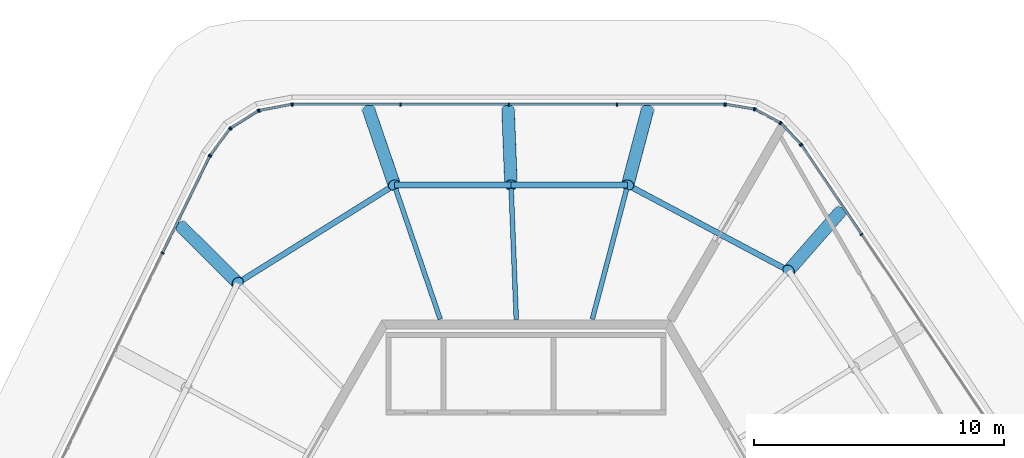
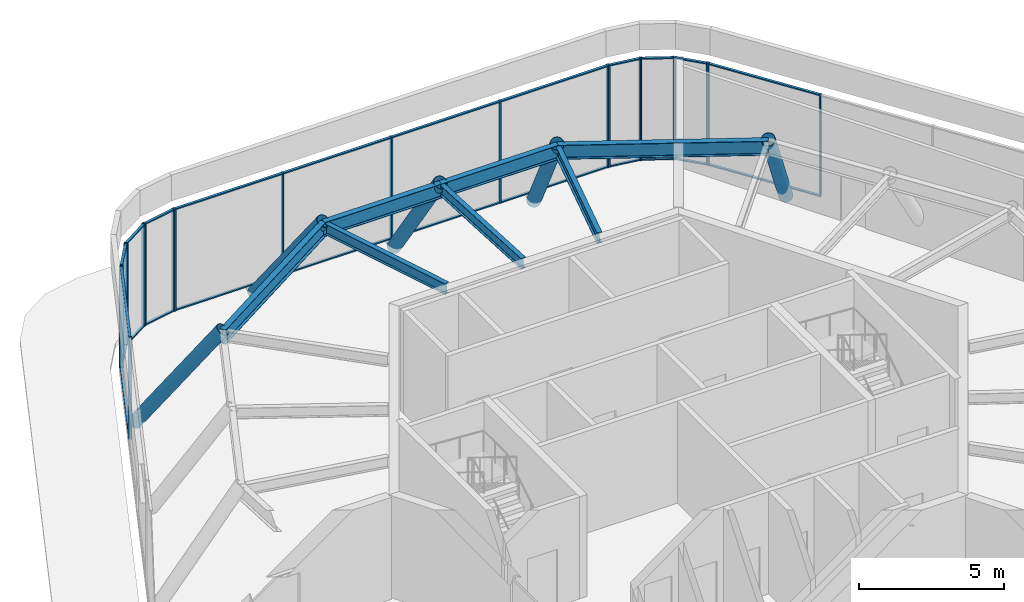
# One storey, part 7 of 12: 50 members, 7 beams, 9 elements without a shape of their own.
"""IFC4 building model written with IfcOpenShell, lengths in metres."""

import ifcopenshell
import ifcopenshell.guid

model = None  # the IFC model being written
_history = None  # IfcOwnerHistory: only IFC2X3 demands one
_inside = {}  # id of a spatial element -> (the spatial element, [elements in it])
_under = {}  # id of a project, library or spatial element -> (it, [spatial elements below it])
_declared = {}  # id of a project -> (the project, [libraries it declares])
_typed = {}  # id of a type object -> (the type object, [elements of that type])
_made_of = {}  # id of a material, layer set ... -> (it, [elements and type objects made of it])


def new_model(schema):
    """Start an empty IFC model of exactly this schema.

    Asked for "IFC4X3", IfcOpenShell would pick the latest addendum, in which some entities
    have other attributes; the version numbers below select the first issue.
    IFC2X3 requires an IfcOwnerHistory on every rooted entity: one is made here for all.
    """
    global model, _history
    if schema == "IFC4X3":
        model = ifcopenshell.file(schema_version=(4, 3, 0, 0))
    else:
        model = ifcopenshell.file(schema=schema)
    _inside.clear()
    _under.clear()
    _declared.clear()
    _typed.clear()
    _made_of.clear()
    _history = None
    if model.schema == "IFC2X3":
        org = make("IfcOrganization", Name="unknown")
        user = make(
            "IfcPersonAndOrganization",
            ThePerson=make("IfcPerson", FamilyName="unknown"),
            TheOrganization=org,
        )
        app = make(
            "IfcApplication",
            ApplicationDeveloper=org,
            Version="unknown",
            ApplicationFullName="unknown",
            ApplicationIdentifier="unknown",
        )
        _history = make(
            "IfcOwnerHistory",
            OwningUser=user,
            OwningApplication=app,
            ChangeAction="ADDED",
            CreationDate=0,
        )
    return model


def make(cls, **values):
    """One entity of the class cls with the attributes given. An attribute that is None is left unset."""
    return model.create_entity(
        cls, **{name: value for name, value in values.items() if value is not None}
    )


def rooted(cls, **values):
    """An entity with a GlobalId (a new one), such as an element, a storey or a relation."""
    return make(cls, GlobalId=ifcopenshell.guid.new(), OwnerHistory=_history, **values)


def si_unit(unit_type, name, prefix=None):
    """IfcSIUnit, for example si_unit("LENGTHUNIT", "METRE", prefix="MILLI")."""
    return make("IfcSIUnit", UnitType=unit_type, Prefix=prefix, Name=name)


def assignment(units):
    """IfcUnitAssignment: the units of a project."""
    return None if units is None else make("IfcUnitAssignment", Units=units)


def point(xyz):
    """IfcCartesianPoint."""
    return None if xyz is None else make("IfcCartesianPoint", Coordinates=xyz)


def direction(xyz):
    """IfcDirection."""
    return None if xyz is None else make("IfcDirection", DirectionRatios=xyz)


def frame(location, z_axis=None, x_axis=None):
    """IfcAxis2Placement3D, a coordinate frame: its origin and axes. An axis left out is left unset."""
    return make(
        "IfcAxis2Placement3D",
        Location=point(location),
        Axis=direction(z_axis),
        RefDirection=direction(x_axis),
    )


def frame_2d(location, x_axis=None):
    """IfcAxis2Placement2D, a coordinate frame in the plane: its origin and x axis."""
    return make(
        "IfcAxis2Placement2D", Location=point(location), RefDirection=direction(x_axis)
    )


def origin():
    """The frame at (0, 0, 0) with its axes left unset."""
    return frame((0.0, 0.0, 0.0))


def origin_2d():
    """The frame at (0, 0) in the plane with its x axis left unset."""
    return frame_2d((0.0, 0.0))


def place(relative_to, where):
    """IfcLocalPlacement: puts the frame where relative to a parent placement (None: the world)."""
    return make(
        "IfcLocalPlacement", PlacementRelTo=relative_to, RelativePlacement=where
    )


def context(
    kind, dimensions, precision=None, world=None, true_north=None, identifier=None
):
    """IfcGeometricRepresentationContext, for example the 3D "Model" context."""
    return make(
        "IfcGeometricRepresentationContext",
        ContextIdentifier=identifier,
        ContextType=kind,
        CoordinateSpaceDimension=dimensions,
        Precision=precision,
        WorldCoordinateSystem=world,
        TrueNorth=true_north,
    )


def subcontext(parent, identifier, kind, view, scale=None):
    """IfcGeometricRepresentationSubContext, for example "Body" below "Model"."""
    return make(
        "IfcGeometricRepresentationSubContext",
        ContextIdentifier=identifier,
        ContextType=kind,
        ParentContext=parent,
        TargetScale=scale,
        TargetView=view,
    )


def project(units=None, contexts=None):
    """IfcProject with its units and contexts."""
    return rooted(
        "IfcProject",
        Name="project",
        RepresentationContexts=contexts,
        UnitsInContext=assignment(units),
    )


def spatial(cls, under=None, at=None, **own):
    """A site, building, storey or space (cls), placed at a placement, below another one or the project."""
    s = rooted(cls, ObjectPlacement=at, **own)
    if under is not None:
        _under.setdefault(under.id(), (under, []))[1].append(s)
    return s


def profile(cls, at=None, kind="AREA", **sizes):
    """A parametric profile (cls). Its sizes go by their IFC names, for example OverallWidth=200.0."""
    return make(cls, ProfileType=kind, Position=at, **sizes)


def rectangle(**sizes):
    """IfcRectangleProfileDef."""
    return profile("IfcRectangleProfileDef", **sizes)


def hollow_circle(**sizes):
    """IfcCircleHollowProfileDef."""
    return profile("IfcCircleHollowProfileDef", **sizes)


def i_section(**sizes):
    """IfcIShapeProfileDef."""
    return profile("IfcIShapeProfileDef", **sizes)


def extrude(swept, where, along, depth):
    """IfcExtrudedAreaSolid: the profile swept, set in the frame where, extruded along a direction by depth."""
    return make(
        "IfcExtrudedAreaSolid",
        SweptArea=swept,
        Position=where,
        ExtrudedDirection=direction(along),
        Depth=depth,
    )


def shape(context_of_items, identifier, shape_type, items):
    """IfcShapeRepresentation: the items that make up one representation, for example the "Body"."""
    return make(
        "IfcShapeRepresentation",
        ContextOfItems=context_of_items,
        RepresentationIdentifier=identifier,
        RepresentationType=shape_type,
        Items=items,
    )


def material(Name=None, Category=None):
    """IfcMaterial."""
    return make("IfcMaterial", Name=Name, Category=Category)


def material_profile(
    of_material, cross_section, Name=None, Category=None, Priority=None
):
    """IfcMaterialProfile: a cross section and its material."""
    return make(
        "IfcMaterialProfile",
        Name=Name,
        Material=of_material,
        Profile=cross_section,
        Priority=Priority,
        Category=Category,
    )


def profile_set(profiles, Name=None, composite=None):
    """IfcMaterialProfileSet."""
    return make(
        "IfcMaterialProfileSet",
        Name=Name,
        MaterialProfiles=profiles,
        CompositeProfile=composite,
    )


def made_of(thing, what):
    """Note that an element or type object is made of a material, layer set ...; save() writes the relation."""
    if what is not None:
        _made_of.setdefault(what.id(), (what, []))[1].append(thing)
    return thing


def type_object(cls, material=None, **own):
    """A type object (cls), such as IfcWallType, which elements share."""
    return made_of(rooted(cls, **own), material)


def element(
    cls,
    number,
    at=None,
    inside=None,
    cuts=None,
    type_object=None,
    material=None,
    context=None,
    identifier="Body",
    shape_type=None,
    held_by="IfcProductDefinitionShape",
    body=None,
    shapes=None,
    **own,
):
    """One element of the class cls, such as IfcWall. Its Tag is "e" and its number.

    at: its placement. inside: the storey or other place that contains it. cuts: it is an
    opening in that element (IfcRelVoidsElement). A single representation is given by context,
    identifier, shape_type and body (its items); several are given by shapes. held_by: the class
    of the entity that holds the representations. save() writes the other relations.
    """
    e = rooted(cls, Tag="e%d" % number, ObjectPlacement=at, **own)
    if body is not None:
        shapes = [shape(context, identifier, shape_type, body)]
    if shapes is not None:
        e.Representation = make(held_by, Representations=shapes)
    if inside is not None:
        _inside.setdefault(inside.id(), (inside, []))[1].append(e)
    if cuts is not None:
        rooted(
            "IfcRelVoidsElement", RelatingBuildingElement=cuts, RelatedOpeningElement=e
        )
    if type_object is not None:
        _typed.setdefault(type_object.id(), (type_object, []))[1].append(e)
    return made_of(e, material)


def aggregate(whole, parts):
    """IfcRelAggregates: a whole, such as a stair, and the parts it consists of."""
    return rooted("IfcRelAggregates", RelatingObject=whole, RelatedObjects=parts)


def save(model, path):
    """Write the relations noted so far, then the file.

    IfcRelAggregates (storeys below a building ...), IfcRelContainedInSpatialStructure (elements
    in a storey), IfcRelDefinesByType, IfcRelAssociatesMaterial and IfcRelDeclares: one each for
    every whole, place, type object, material and project.
    """
    for whole, parts in _under.values():
        aggregate(whole, parts)
    for where, things in _inside.values():
        rooted(
            "IfcRelContainedInSpatialStructure",
            RelatedElements=things,
            RelatingStructure=where,
        )
    for kind, things in _typed.values():
        rooted("IfcRelDefinesByType", RelatedObjects=things, RelatingType=kind)
    for what, things in _made_of.values():
        rooted("IfcRelAssociatesMaterial", RelatedObjects=things, RelatingMaterial=what)
    for by, libraries in _declared.values():
        rooted("IfcRelDeclares", RelatingContext=by, RelatedDefinitions=libraries)
    model.write(path)


model = new_model("IFC4")

# Units and contexts
model_context = context("Model", 3, precision=1e-05, world=origin(), true_north=direction((0.0, 1.0)))
body_context = subcontext(model_context, "Body", "Model", "MODEL_VIEW")
ifc_project = project(units=[si_unit("LENGTHUNIT", "METRE"), si_unit("AREAUNIT", "SQUARE_METRE"), si_unit("VOLUMEUNIT", "CUBIC_METRE"), si_unit("PLANEANGLEUNIT", "RADIAN"), si_unit("MASSUNIT", "GRAM", prefix="KILO")], contexts=[model_context])

# Site, building, storey
site_placement = place(None, origin())
site = spatial("IfcSite", under=ifc_project, at=site_placement, CompositionType="ELEMENT")
building_placement = place(site_placement, origin())
building = spatial("IfcBuilding", under=site, at=building_placement, Name="Tarnside Tower", CompositionType="ELEMENT")
storey_placement = place(building_placement, frame((0.0, 0.0, 392.699951171875)))
storey = spatial("IfcBuildingStorey", under=building, at=storey_placement, Name="L93", CompositionType="ELEMENT", Elevation=392.699951171875)

# Curtain wall, members
ifc_material_1 = material(Name="Crown glazing wall", Category="glass")
curtain_wall_type = type_object("IfcCurtainWallType", Name="Crown glazing wall", PredefinedType="NOTDEFINED", material=ifc_material_1)
curtain_wall_1_placement = place(storey_placement, origin())
curtain_wall_1 = element("IfcCurtainWall", 1, at=curtain_wall_1_placement, inside=storey, type_object=curtain_wall_type, Name="Crown glazing L93 00", PredefinedType="NOTDEFINED")
ifc_material_2 = material(Name="Aluminium alloy 6063", Category="aluminium")
ifc_material_profile_1 = material_profile(ifc_material_2, rectangle(XDim=0.139892578125, YDim=0.050048828125, at=origin_2d()), Name="Crown glazing mullion 50 x 140")
ifc_profile_set_1 = profile_set([ifc_material_profile_1], Name="Aluminium alloy 6063")
member_type_1 = type_object("IfcMemberType", Name="Crown glazing mullion 50 x 140", PredefinedType="MULLION", material=ifc_profile_set_1)
member_1_placement = place(storey_placement, frame((-9.327392578125, 18.6298828125, 0.0), z_axis=(0.0, 0.0, 1.0), x_axis=(0.0, 1.0, 0.0)))
member_1 = element("IfcMember", 2, at=member_1_placement, type_object=member_type_1, Name="CW6 mullion 1", PredefinedType="MULLION", context=body_context, shape_type="SweptSolid", body=[
    extrude(rectangle(XDim=0.139892578125, YDim=0.050048828125, at=origin_2d()), origin(), (0.0, 0.0, 1.0), 4.300048828125),
])
member_2_placement = place(storey_placement, frame((-5.02490234375, 18.6298828125, 0.0), z_axis=(0.0, 0.0, 1.0), x_axis=(0.0, 1.0, 0.0)))
member_2 = element("IfcMember", 3, at=member_2_placement, type_object=member_type_1, Name="CW6 mullion 2", PredefinedType="MULLION", context=body_context, shape_type="SweptSolid", body=[
    extrude(rectangle(XDim=0.139892578125, YDim=0.050048828125, at=origin_2d()), origin(), (0.0, 0.0, 1.0), 4.300048828125),
])
member_3_placement = place(storey_placement, frame((-0.697509765625, 18.6298828125, 0.0), z_axis=(0.0, 0.0, 1.0), x_axis=(0.0, 1.0, 0.0)))
member_3 = element("IfcMember", 4, at=member_3_placement, type_object=member_type_1, Name="CW6 mullion 3", PredefinedType="MULLION", context=body_context, shape_type="SweptSolid", body=[
    extrude(rectangle(XDim=0.139892578125, YDim=0.050048828125, at=origin_2d()), origin(), (0.0, 0.0, 1.0), 4.300048828125),
])
member_4_placement = place(storey_placement, frame((3.630126953125, 18.6298828125, 0.0), z_axis=(0.0, 0.0, 1.0), x_axis=(0.0, 1.0, 0.0)))
member_4 = element("IfcMember", 5, at=member_4_placement, type_object=member_type_1, Name="CW6 mullion 4", PredefinedType="MULLION", context=body_context, shape_type="SweptSolid", body=[
    extrude(rectangle(XDim=0.139892578125, YDim=0.050048828125, at=origin_2d()), origin(), (0.0, 0.0, 1.0), 4.300048828125),
])
member_5_placement = place(storey_placement, frame((7.9326171875, 18.6298828125, 0.0), z_axis=(0.0, 0.0, 1.0), x_axis=(0.0, 1.0, 0.0)))
member_5 = element("IfcMember", 6, at=member_5_placement, type_object=member_type_1, Name="CW6 mullion 5", PredefinedType="MULLION", context=body_context, shape_type="SweptSolid", body=[
    extrude(rectangle(XDim=0.139892578125, YDim=0.050048828125, at=origin_2d()), origin(), (0.0, 0.0, 1.0), 4.300048828125),
])

curtain_wall_2_placement = place(storey_placement, origin())
curtain_wall_2 = element("IfcCurtainWall", 7, at=curtain_wall_2_placement, inside=storey, type_object=curtain_wall_type, Name="Crown glazing L93 01", PredefinedType="NOTDEFINED")
member_6_placement = place(storey_placement, frame((7.982421875, 18.6259765625, 0.0), z_axis=(0.0, 0.0, 1.0), x_axis=(0.162177923324, 0.986761532077, 0.0)))
member_6 = element("IfcMember", 8, at=member_6_placement, type_object=member_type_1, Name="CW6 mullion 1", PredefinedType="MULLION", context=body_context, shape_type="SweptSolid", body=[
    extrude(rectangle(XDim=0.139892578125, YDim=0.050048828125, at=origin_2d()), origin(), (0.0, 0.0, 1.0), 4.300048828125),
])
member_7_placement = place(storey_placement, frame((9.11181640625, 18.4404296875, 0.0), z_axis=(0.0, 0.0, 1.0), x_axis=(0.162177923324, 0.986761532077, 0.0)))
member_7 = element("IfcMember", 9, at=member_7_placement, type_object=member_type_1, Name="CW6 mullion 2", PredefinedType="MULLION", context=body_context, shape_type="SweptSolid", body=[
    extrude(rectangle(XDim=0.139892578125, YDim=0.050048828125, at=origin_2d()), origin(), (0.0, 0.0, 1.0), 4.300048828125),
])

curtain_wall_3_placement = place(storey_placement, origin())
curtain_wall_3 = element("IfcCurtainWall", 10, at=curtain_wall_3_placement, inside=storey, type_object=curtain_wall_type, Name="Crown glazing L93 02", PredefinedType="NOTDEFINED")
member_8_placement = place(storey_placement, frame((9.15869140625, 18.424560546875, 0.0), z_axis=(0.0, 0.0, 1.0), x_axis=(0.469471562678, 0.882947592916, 0.0)))
member_8 = element("IfcMember", 11, at=member_8_placement, type_object=member_type_1, Name="CW6 mullion 1", PredefinedType="MULLION", context=body_context, shape_type="SweptSolid", body=[
    extrude(rectangle(XDim=0.139892578125, YDim=0.050048828125, at=origin_2d()), origin(), (0.0, 0.0, 1.0), 4.300048828125),
])
member_9_placement = place(storey_placement, frame((10.153076171875, 17.895751953125, 0.0), z_axis=(0.0, 0.0, 1.0), x_axis=(0.469471562678, 0.882947592916, 0.0)))
member_9 = element("IfcMember", 12, at=member_9_placement, type_object=member_type_1, Name="CW6 mullion 2", PredefinedType="MULLION", context=body_context, shape_type="SweptSolid", body=[
    extrude(rectangle(XDim=0.139892578125, YDim=0.050048828125, at=origin_2d()), origin(), (0.0, 0.0, 1.0), 4.300048828125),
])

curtain_wall_4_placement = place(storey_placement, origin())
curtain_wall_4 = element("IfcCurtainWall", 13, at=curtain_wall_4_placement, inside=storey, type_object=curtain_wall_type, Name="Crown glazing L93 03", PredefinedType="NOTDEFINED")
member_10_placement = place(storey_placement, frame((10.1923828125, 17.86572265625, 0.0), z_axis=(0.0, 0.0, 1.0), x_axis=(0.727373641409, 0.686241638042, 0.0)))
member_10 = element("IfcMember", 14, at=member_10_placement, type_object=member_type_1, Name="CW6 mullion 1", PredefinedType="MULLION", context=body_context, shape_type="SweptSolid", body=[
    extrude(rectangle(XDim=0.139892578125, YDim=0.050048828125, at=origin_2d()), origin(), (0.0, 0.0, 1.0), 4.300048828125),
])
member_11_placement = place(storey_placement, frame((10.97802734375, 17.033203125, 0.0), z_axis=(0.0, 0.0, 1.0), x_axis=(0.727373641409, 0.686241638042, 0.0)))
member_11 = element("IfcMember", 15, at=member_11_placement, type_object=member_type_1, Name="CW6 mullion 2", PredefinedType="MULLION", context=body_context, shape_type="SweptSolid", body=[
    extrude(rectangle(XDim=0.139892578125, YDim=0.050048828125, at=origin_2d()), origin(), (0.0, 0.0, 1.0), 4.300048828125),
])

curtain_wall_5_placement = place(storey_placement, origin())
curtain_wall_5 = element("IfcCurtainWall", 16, at=curtain_wall_5_placement, inside=storey, type_object=curtain_wall_type, Name="Crown glazing L93 04", PredefinedType="NOTDEFINED")
member_12_placement = place(storey_placement, frame((11.009033203125, 16.994140625, 0.0), z_axis=(0.0, 0.0, 1.0), x_axis=(0.829037572565, 0.559192903456, 0.0)))
member_12 = element("IfcMember", 17, at=member_12_placement, type_object=member_type_1, Name="CW6 mullion 1", PredefinedType="MULLION", context=body_context, shape_type="SweptSolid", body=[
    extrude(rectangle(XDim=0.139892578125, YDim=0.050048828125, at=origin_2d()), origin(), (0.0, 0.0, 1.0), 4.300048828125),
])
member_13_placement = place(storey_placement, frame((13.4150390625, 13.42724609375, 0.0), z_axis=(0.0, 0.0, 1.0), x_axis=(0.829037572565, 0.559192903456, 0.0)))
member_13 = element("IfcMember", 18, at=member_13_placement, type_object=member_type_1, Name="CW6 mullion 2", PredefinedType="MULLION", context=body_context, shape_type="SweptSolid", body=[
    extrude(rectangle(XDim=0.139892578125, YDim=0.050048828125, at=origin_2d()), origin(), (0.0, 0.0, 1.0), 4.300048828125),
])

curtain_wall_6_placement = place(storey_placement, origin())
curtain_wall_6 = element("IfcCurtainWall", 19, at=curtain_wall_6_placement, inside=storey, type_object=curtain_wall_type, Name="Crown glazing L93 20", PredefinedType="NOTDEFINED")
member_14_placement = place(storey_placement, frame((-14.541748046875, 12.683349609375, 0.0), z_axis=(0.0, 0.0, 1.0), x_axis=(-0.898794046314, 0.438371146758, 0.0)))
member_14 = element("IfcMember", 20, at=member_14_placement, type_object=member_type_1, Name="CW6 mullion 4", PredefinedType="MULLION", context=body_context, shape_type="SweptSolid", body=[
    extrude(rectangle(XDim=0.139892578125, YDim=0.050048828125, at=origin_2d()), origin(), (0.0, 0.0, 1.0), 4.300048828125),
])
member_15_placement = place(storey_placement, frame((-12.655517578125, 16.55029296875, 0.0), z_axis=(0.0, 0.0, 1.0), x_axis=(-0.898794046314, 0.438371146758, 0.0)))
member_15 = element("IfcMember", 21, at=member_15_placement, type_object=member_type_1, Name="CW6 mullion 5", PredefinedType="MULLION", context=body_context, shape_type="SweptSolid", body=[
    extrude(rectangle(XDim=0.139892578125, YDim=0.050048828125, at=origin_2d()), origin(), (0.0, 0.0, 1.0), 4.300048828125),
])

curtain_wall_7_placement = place(storey_placement, origin())
curtain_wall_7 = element("IfcCurtainWall", 22, at=curtain_wall_7_placement, inside=storey, type_object=curtain_wall_type, Name="Crown glazing L93 21", PredefinedType="NOTDEFINED")
member_16_placement = place(storey_placement, frame((-12.629638671875, 16.5927734375, 0.0), z_axis=(0.0, 0.0, 1.0), x_axis=(-0.802123192501, 0.597158592043, 0.0)))
member_16 = element("IfcMember", 23, at=member_16_placement, type_object=member_type_1, Name="CW6 mullion 1", PredefinedType="MULLION", context=body_context, shape_type="SweptSolid", body=[
    extrude(rectangle(XDim=0.139892578125, YDim=0.050048828125, at=origin_2d()), origin(), (0.0, 0.0, 1.0), 4.300048828125),
])
member_17_placement = place(storey_placement, frame((-11.845458984375, 17.646240234375, 0.0), z_axis=(0.0, 0.0, 1.0), x_axis=(-0.802123192501, 0.597158592043, 0.0)))
member_17 = element("IfcMember", 24, at=member_17_placement, type_object=member_type_1, Name="CW6 mullion 2", PredefinedType="MULLION", context=body_context, shape_type="SweptSolid", body=[
    extrude(rectangle(XDim=0.139892578125, YDim=0.050048828125, at=origin_2d()), origin(), (0.0, 0.0, 1.0), 4.300048828125),
])

curtain_wall_8_placement = place(storey_placement, origin())
curtain_wall_8 = element("IfcCurtainWall", 25, at=curtain_wall_8_placement, inside=storey, type_object=curtain_wall_type, Name="Crown glazing L93 22", PredefinedType="NOTDEFINED")
member_18_placement = place(storey_placement, frame((-11.809326171875, 17.6796875, 0.0), z_axis=(0.0, 0.0, 1.0), x_axis=(-0.5299192645, 0.84804809599, 0.0)))
member_18 = element("IfcMember", 26, at=member_18_placement, type_object=member_type_1, Name="CW6 mullion 1", PredefinedType="MULLION", context=body_context, shape_type="SweptSolid", body=[
    extrude(rectangle(XDim=0.139892578125, YDim=0.050048828125, at=origin_2d()), origin(), (0.0, 0.0, 1.0), 4.300048828125),
])
member_19_placement = place(storey_placement, frame((-10.71337890625, 18.364501953125, 0.0), z_axis=(0.0, 0.0, 1.0), x_axis=(-0.5299192645, 0.84804809599, 0.0)))
member_19 = element("IfcMember", 27, at=member_19_placement, type_object=member_type_1, Name="CW6 mullion 2", PredefinedType="MULLION", context=body_context, shape_type="SweptSolid", body=[
    extrude(rectangle(XDim=0.139892578125, YDim=0.050048828125, at=origin_2d()), origin(), (0.0, 0.0, 1.0), 4.300048828125),
])

curtain_wall_9_placement = place(storey_placement, origin())
curtain_wall_9 = element("IfcCurtainWall", 28, at=curtain_wall_9_placement, inside=storey, type_object=curtain_wall_type, Name="Crown glazing L93 23", PredefinedType="NOTDEFINED")
member_20_placement = place(storey_placement, frame((-10.667724609375, 18.38232421875, 0.0), z_axis=(0.0, 0.0, 1.0), x_axis=(-0.185094922759, 0.98272064676, 0.0)))
member_20 = element("IfcMember", 29, at=member_20_placement, type_object=member_type_1, Name="CW6 mullion 1", PredefinedType="MULLION", context=body_context, shape_type="SweptSolid", body=[
    extrude(rectangle(XDim=0.139892578125, YDim=0.050048828125, at=origin_2d()), origin(), (0.0, 0.0, 1.0), 4.300048828125),
])
member_21_placement = place(storey_placement, frame((-9.376953125, 18.62548828125, 0.0), z_axis=(0.0, 0.0, 1.0), x_axis=(-0.185094922759, 0.98272064676, 0.0)))
member_21 = element("IfcMember", 30, at=member_21_placement, type_object=member_type_1, Name="CW6 mullion 2", PredefinedType="MULLION", context=body_context, shape_type="SweptSolid", body=[
    extrude(rectangle(XDim=0.139892578125, YDim=0.050048828125, at=origin_2d()), origin(), (0.0, 0.0, 1.0), 4.300048828125),
])

# Member
ifc_material_profile_2 = material_profile(ifc_material_2, rectangle(XDim=0.10009765625, YDim=0.050048828125, at=origin_2d()), Name="Crown glazing transom 50 x 100")
ifc_profile_set_2 = profile_set([ifc_material_profile_2], Name="Aluminium alloy 6063")
member_type_2 = type_object("IfcMemberType", Name="Crown glazing transom 50 x 100", PredefinedType="USERDEFINED", material=ifc_profile_set_2)
member_22_placement = place(storey_placement, frame((-9.302490234375, 18.6298828125, 0.025146484375), z_axis=(1.0, 0.0, 0.0), x_axis=(0.0, 1.0, 0.0)))
member_22 = element("IfcMember", 31, at=member_22_placement, type_object=member_type_2, Name="CW6 transom 1.1", ObjectType="TRANSOM", PredefinedType="USERDEFINED", context=body_context, shape_type="SweptSolid", body=[
    extrude(rectangle(XDim=0.10009765625, YDim=0.050048828125, at=origin_2d()), origin(), (0.0, 0.0, 1.0), 4.25244140625),
])

member_23_placement = place(storey_placement, frame((-9.302490234375, 18.6298828125, 4.275146484375), z_axis=(1.0, 0.0, 0.0), x_axis=(0.0, 1.0, 0.0)))
member_23 = element("IfcMember", 32, at=member_23_placement, type_object=member_type_2, Name="CW6 transom 1.2", ObjectType="TRANSOM", PredefinedType="USERDEFINED", context=body_context, shape_type="SweptSolid", body=[
    extrude(rectangle(XDim=0.10009765625, YDim=0.050048828125, at=origin_2d()), origin(), (0.0, 0.0, 1.0), 4.25244140625),
])

member_24_placement = place(storey_placement, frame((-5.0, 18.6298828125, 0.025146484375), z_axis=(1.0, 0.0, 0.0), x_axis=(0.0, 1.0, 0.0)))
member_24 = element("IfcMember", 33, at=member_24_placement, type_object=member_type_2, Name="CW6 transom 2.1", ObjectType="TRANSOM", PredefinedType="USERDEFINED", context=body_context, shape_type="SweptSolid", body=[
    extrude(rectangle(XDim=0.10009765625, YDim=0.050048828125, at=origin_2d()), origin(), (0.0, 0.0, 1.0), 4.277587890625),
])

member_25_placement = place(storey_placement, frame((-5.0, 18.6298828125, 4.275146484375), z_axis=(1.0, 0.0, 0.0), x_axis=(0.0, 1.0, 0.0)))
member_25 = element("IfcMember", 34, at=member_25_placement, type_object=member_type_2, Name="CW6 transom 2.2", ObjectType="TRANSOM", PredefinedType="USERDEFINED", context=body_context, shape_type="SweptSolid", body=[
    extrude(rectangle(XDim=0.10009765625, YDim=0.050048828125, at=origin_2d()), origin(), (0.0, 0.0, 1.0), 4.277587890625),
])

member_26_placement = place(storey_placement, frame((-0.67236328125, 18.6298828125, 0.025146484375), z_axis=(1.0, 0.0, 0.0), x_axis=(0.0, 1.0, 0.0)))
member_26 = element("IfcMember", 35, at=member_26_placement, type_object=member_type_2, Name="CW6 transom 3.1", ObjectType="TRANSOM", PredefinedType="USERDEFINED", context=body_context, shape_type="SweptSolid", body=[
    extrude(rectangle(XDim=0.10009765625, YDim=0.050048828125, at=origin_2d()), origin(), (0.0, 0.0, 1.0), 4.277587890625),
])

member_27_placement = place(storey_placement, frame((-0.67236328125, 18.6298828125, 4.275146484375), z_axis=(1.0, 0.0, 0.0), x_axis=(0.0, 1.0, 0.0)))
member_27 = element("IfcMember", 36, at=member_27_placement, type_object=member_type_2, Name="CW6 transom 3.2", ObjectType="TRANSOM", PredefinedType="USERDEFINED", context=body_context, shape_type="SweptSolid", body=[
    extrude(rectangle(XDim=0.10009765625, YDim=0.050048828125, at=origin_2d()), origin(), (0.0, 0.0, 1.0), 4.277587890625),
])

member_28_placement = place(storey_placement, frame((3.655029296875, 18.6298828125, 0.025146484375), z_axis=(1.0, 0.0, 0.0), x_axis=(0.0, 1.0, 0.0)))
member_28 = element("IfcMember", 37, at=member_28_placement, type_object=member_type_2, Name="CW6 transom 4.1", ObjectType="TRANSOM", PredefinedType="USERDEFINED", context=body_context, shape_type="SweptSolid", body=[
    extrude(rectangle(XDim=0.10009765625, YDim=0.050048828125, at=origin_2d()), origin(), (0.0, 0.0, 1.0), 4.252685546875),
])

member_29_placement = place(storey_placement, frame((3.655029296875, 18.6298828125, 4.275146484375), z_axis=(1.0, 0.0, 0.0), x_axis=(0.0, 1.0, 0.0)))
member_29 = element("IfcMember", 38, at=member_29_placement, type_object=member_type_2, Name="CW6 transom 4.2", ObjectType="TRANSOM", PredefinedType="USERDEFINED", context=body_context, shape_type="SweptSolid", body=[
    extrude(rectangle(XDim=0.10009765625, YDim=0.050048828125, at=origin_2d()), origin(), (0.0, 0.0, 1.0), 4.252685546875),
])

aggregate(curtain_wall_1, [member_1, member_2, member_3, member_4, member_5, member_22, member_23, member_24, member_25, member_26, member_27, member_28, member_29])

member_30_placement = place(storey_placement, frame((8.007080078125, 18.621826171875, 0.025146484375), z_axis=(0.986765131059, -0.162156024023, 0.0), x_axis=(0.162156024023, 0.986765131059, 0.0)))
member_30 = element("IfcMember", 39, at=member_30_placement, type_object=member_type_2, Name="CW6 transom 1.1", ObjectType="TRANSOM", PredefinedType="USERDEFINED", context=body_context, shape_type="SweptSolid", body=[
    extrude(rectangle(XDim=0.10009765625, YDim=0.050048828125, at=origin_2d()), origin(), (0.0, 0.0, 1.0), 1.094482421875),
])

member_31_placement = place(storey_placement, frame((8.007080078125, 18.621826171875, 4.275146484375), z_axis=(0.986765131059, -0.162156024023, 0.0), x_axis=(0.162156024023, 0.986765131059, 0.0)))
member_31 = element("IfcMember", 40, at=member_31_placement, type_object=member_type_2, Name="CW6 transom 1.2", ObjectType="TRANSOM", PredefinedType="USERDEFINED", context=body_context, shape_type="SweptSolid", body=[
    extrude(rectangle(XDim=0.10009765625, YDim=0.050048828125, at=origin_2d()), origin(), (0.0, 0.0, 1.0), 1.094482421875),
])

aggregate(curtain_wall_2, [member_6, member_7, member_30, member_31])

member_32_placement = place(storey_placement, frame((9.1806640625, 18.412841796875, 0.025146484375), z_axis=(0.882942404878, -0.46948131983, 0.0), x_axis=(0.46948131983, 0.882942404878, 0.0)))
member_32 = element("IfcMember", 41, at=member_32_placement, type_object=member_type_2, Name="CW6 transom 1.1", ObjectType="TRANSOM", PredefinedType="USERDEFINED", context=body_context, shape_type="SweptSolid", body=[
    extrude(rectangle(XDim=0.10009765625, YDim=0.050048828125, at=origin_2d()), origin(), (0.0, 0.0, 1.0), 1.076416015625),
])

member_33_placement = place(storey_placement, frame((9.1806640625, 18.412841796875, 4.275146484375), z_axis=(0.882942404878, -0.46948131983, 0.0), x_axis=(0.46948131983, 0.882942404878, 0.0)))
member_33 = element("IfcMember", 42, at=member_33_placement, type_object=member_type_2, Name="CW6 transom 1.2", ObjectType="TRANSOM", PredefinedType="USERDEFINED", context=body_context, shape_type="SweptSolid", body=[
    extrude(rectangle(XDim=0.10009765625, YDim=0.050048828125, at=origin_2d()), origin(), (0.0, 0.0, 1.0), 1.076416015625),
])

aggregate(curtain_wall_3, [member_8, member_9, member_32, member_33])

member_34_placement = place(storey_placement, frame((10.20947265625, 17.84765625, 0.025146484375), z_axis=(0.686178127123, -0.727433555631, 0.0), x_axis=(0.727433555631, 0.686178127123, 0.0)))
member_34 = element("IfcMember", 43, at=member_34_placement, type_object=member_type_2, Name="CW6 transom 1.1", ObjectType="TRANSOM", PredefinedType="USERDEFINED", context=body_context, shape_type="SweptSolid", body=[
    extrude(rectangle(XDim=0.10009765625, YDim=0.050048828125, at=origin_2d()), origin(), (0.0, 0.0, 1.0), 1.0947265625),
])

member_35_placement = place(storey_placement, frame((10.20947265625, 17.84765625, 4.275146484375), z_axis=(0.686178127123, -0.727433555631, 0.0), x_axis=(0.727433555631, 0.686178127123, 0.0)))
member_35 = element("IfcMember", 44, at=member_35_placement, type_object=member_type_2, Name="CW6 transom 1.2", ObjectType="TRANSOM", PredefinedType="USERDEFINED", context=body_context, shape_type="SweptSolid", body=[
    extrude(rectangle(XDim=0.10009765625, YDim=0.050048828125, at=origin_2d()), origin(), (0.0, 0.0, 1.0), 1.0947265625),
])

aggregate(curtain_wall_4, [member_10, member_11, member_34, member_35])

member_36_placement = place(storey_placement, frame((11.02294921875, 16.9736328125, 0.025146484375), z_axis=(0.559209574091, -0.829026327836, 0.0), x_axis=(0.829026327836, 0.559209574091, 0.0)))
member_36 = element("IfcMember", 45, at=member_36_placement, type_object=member_type_2, Name="CW6 transom 1.1", ObjectType="TRANSOM", PredefinedType="USERDEFINED", context=body_context, shape_type="SweptSolid", body=[
    extrude(rectangle(XDim=0.10009765625, YDim=0.050048828125, at=origin_2d()), origin(), (0.0, 0.0, 1.0), 4.252685546875),
])

member_37_placement = place(storey_placement, frame((11.02294921875, 16.9736328125, 4.275146484375), z_axis=(0.559209574091, -0.829026327836, 0.0), x_axis=(0.829026327836, 0.559209574091, 0.0)))
member_37 = element("IfcMember", 46, at=member_37_placement, type_object=member_type_2, Name="CW6 transom 1.2", ObjectType="TRANSOM", PredefinedType="USERDEFINED", context=body_context, shape_type="SweptSolid", body=[
    extrude(rectangle(XDim=0.10009765625, YDim=0.050048828125, at=origin_2d()), origin(), (0.0, 0.0, 1.0), 4.252685546875),
])

aggregate(curtain_wall_5, [member_12, member_13, member_36, member_37])

member_38_placement = place(storey_placement, frame((-14.53076171875, 12.705810546875, 0.025146484375), z_axis=(0.438396484676, 0.898781687744, 0.0), x_axis=(-0.898781687744, 0.438396484676, 0.0)))
member_38 = element("IfcMember", 47, at=member_38_placement, type_object=member_type_2, Name="CW6 transom 4.1", ObjectType="TRANSOM", PredefinedType="USERDEFINED", context=body_context, shape_type="SweptSolid", body=[
    extrude(rectangle(XDim=0.10009765625, YDim=0.050048828125, at=origin_2d()), origin(), (0.0, 0.0, 1.0), 4.25244140625),
])

member_39_placement = place(storey_placement, frame((-14.53076171875, 12.705810546875, 4.275146484375), z_axis=(0.438396484676, 0.898781687744, 0.0), x_axis=(-0.898781687744, 0.438396484676, 0.0)))
member_39 = element("IfcMember", 48, at=member_39_placement, type_object=member_type_2, Name="CW6 transom 4.2", ObjectType="TRANSOM", PredefinedType="USERDEFINED", context=body_context, shape_type="SweptSolid", body=[
    extrude(rectangle(XDim=0.10009765625, YDim=0.050048828125, at=origin_2d()), origin(), (0.0, 0.0, 1.0), 4.25244140625),
])

aggregate(curtain_wall_6, [member_14, member_15, member_38, member_39])

member_40_placement = place(storey_placement, frame((-12.61474609375, 16.613037109375, 0.025146484375), z_axis=(0.597213239481, 0.802082506098, 0.0), x_axis=(-0.802082506098, 0.597213239481, 0.0)))
member_40 = element("IfcMember", 49, at=member_40_placement, type_object=member_type_2, Name="CW6 transom 1.1", ObjectType="TRANSOM", PredefinedType="USERDEFINED", context=body_context, shape_type="SweptSolid", body=[
    extrude(rectangle(XDim=0.10009765625, YDim=0.050048828125, at=origin_2d()), origin(), (0.0, 0.0, 1.0), 1.26318359375),
])

member_41_placement = place(storey_placement, frame((-12.61474609375, 16.613037109375, 4.275146484375), z_axis=(0.597213239481, 0.802082506098, 0.0), x_axis=(-0.802082506098, 0.597213239481, 0.0)))
member_41 = element("IfcMember", 50, at=member_41_placement, type_object=member_type_2, Name="CW6 transom 1.2", ObjectType="TRANSOM", PredefinedType="USERDEFINED", context=body_context, shape_type="SweptSolid", body=[
    extrude(rectangle(XDim=0.10009765625, YDim=0.050048828125, at=origin_2d()), origin(), (0.0, 0.0, 1.0), 1.26318359375),
])

aggregate(curtain_wall_7, [member_16, member_17, member_40, member_41])

member_42_placement = place(storey_placement, frame((-11.7880859375, 17.69287109375, 0.025146484375), z_axis=(0.848075586499, 0.529875267949, 0.0), x_axis=(-0.529875267949, 0.848075586499, 0.0)))
member_42 = element("IfcMember", 51, at=member_42_placement, type_object=member_type_2, Name="CW6 transom 1.1", ObjectType="TRANSOM", PredefinedType="USERDEFINED", context=body_context, shape_type="SweptSolid", body=[
    extrude(rectangle(XDim=0.10009765625, YDim=0.050048828125, at=origin_2d()), origin(), (0.0, 0.0, 1.0), 1.2421875),
])

member_43_placement = place(storey_placement, frame((-11.7880859375, 17.69287109375, 4.275146484375), z_axis=(0.848075586499, 0.529875267949, 0.0), x_axis=(-0.529875267949, 0.848075586499, 0.0)))
member_43 = element("IfcMember", 52, at=member_43_placement, type_object=member_type_2, Name="CW6 transom 1.2", ObjectType="TRANSOM", PredefinedType="USERDEFINED", context=body_context, shape_type="SweptSolid", body=[
    extrude(rectangle(XDim=0.10009765625, YDim=0.050048828125, at=origin_2d()), origin(), (0.0, 0.0, 1.0), 1.2421875),
])

aggregate(curtain_wall_8, [member_18, member_19, member_42, member_43])

member_44_placement = place(storey_placement, frame((-10.64306640625, 18.386962890625, 0.025146484375), z_axis=(0.982712107295, 0.185140255416, 0.0), x_axis=(-0.185140255416, 0.982712107295, 0.0)))
member_44 = element("IfcMember", 53, at=member_44_placement, type_object=member_type_2, Name="CW6 transom 1.1", ObjectType="TRANSOM", PredefinedType="USERDEFINED", context=body_context, shape_type="SweptSolid", body=[
    extrude(rectangle(XDim=0.10009765625, YDim=0.050048828125, at=origin_2d()), origin(), (0.0, 0.0, 1.0), 1.26318359375),
])

member_45_placement = place(storey_placement, frame((-10.64306640625, 18.386962890625, 4.275146484375), z_axis=(0.982712107295, 0.185140255416, 0.0), x_axis=(-0.185140255416, 0.982712107295, 0.0)))
member_45 = element("IfcMember", 54, at=member_45_placement, type_object=member_type_2, Name="CW6 transom 1.2", ObjectType="TRANSOM", PredefinedType="USERDEFINED", context=body_context, shape_type="SweptSolid", body=[
    extrude(rectangle(XDim=0.10009765625, YDim=0.050048828125, at=origin_2d()), origin(), (0.0, 0.0, 1.0), 1.26318359375),
])

aggregate(curtain_wall_9, [member_20, member_21, member_44, member_45])

# Beams
ifc_material_3 = material(Name="Steel S355", Category="steel")
ifc_material_profile_3 = material_profile(ifc_material_3, i_section(OverallWidth=0.18994140625, OverallDepth=0.453369140625, WebThickness=0.008544921875, FlangeThickness=0.0126953125, FilletRadius=0.01025390625, at=origin_2d()), Name="UB 457x191x67")
ifc_profile_set_3 = profile_set([ifc_material_profile_3], Name="Steel S355")
beam_type_1 = type_object("IfcBeamType", Name="Floor beam UB 457x191x67", PredefinedType="BEAM", material=ifc_profile_set_3)
beam_1_placement = place(storey_placement, frame((4.02001953125, 15.24755859375, 4.0732421875), z_axis=(-0.254928280686, -0.966959963859, 0.0), x_axis=(0.966959963859, -0.254928280686, 0.0)))
element("IfcBeam", 55, at=beam_1_placement, inside=storey, type_object=beam_type_1, Name="Floor beam RB1", PredefinedType="BEAM", context=body_context, shape_type="SweptSolid", body=[
    extrude(i_section(OverallWidth=0.18994140625, OverallDepth=0.453369140625, WebThickness=0.008544921875, FlangeThickness=0.0126953125, FilletRadius=0.01025390625, at=origin_2d()), origin(), (0.0, 0.0, 1.0), 5.386962890625),
])
beam_2_placement = place(storey_placement, frame((-0.59814453125, 15.26611328125, 4.0732421875), z_axis=(0.039154613002, -0.999233164122, 0.0), x_axis=(0.999233164122, 0.039154613002, 0.0)))
element("IfcBeam", 56, at=beam_2_placement, inside=storey, type_object=beam_type_1, Name="Floor beam RB2", PredefinedType="BEAM", context=body_context, shape_type="SweptSolid", body=[
    extrude(i_section(OverallWidth=0.18994140625, OverallDepth=0.453369140625, WebThickness=0.008544921875, FlangeThickness=0.0126953125, FilletRadius=0.01025390625, at=origin_2d()), origin(), (0.0, 0.0, 1.0), 5.25),
])
beam_3_placement = place(storey_placement, frame((-5.21533203125, 15.248291015625, 4.0732421875), z_axis=(0.3236396339, -0.946180420094, 0.0), x_axis=(0.946180420094, 0.3236396339, 0.0)))
element("IfcBeam", 57, at=beam_3_placement, inside=storey, type_object=beam_type_1, Name="Floor beam RB3", PredefinedType="BEAM", context=body_context, shape_type="SweptSolid", body=[
    extrude(i_section(OverallWidth=0.18994140625, OverallDepth=0.453369140625, WebThickness=0.008544921875, FlangeThickness=0.0126953125, FilletRadius=0.01025390625, at=origin_2d()), origin(), (0.0, 0.0, 1.0), 5.5068359375),
])
ifc_material_profile_4 = material_profile(ifc_material_3, i_section(OverallWidth=0.2275390625, OverallDepth=0.6025390625, WebThickness=0.010498046875, FlangeThickness=0.014892578125, FilletRadius=0.0126953125, at=origin_2d()), Name="UB 610x229x101")
ifc_profile_set_4 = profile_set([ifc_material_profile_4], Name="Steel S355")
beam_type_2 = type_object("IfcBeamType", Name="Floor beam UB 610x229x101", PredefinedType="BEAM", material=ifc_profile_set_4)
beam_4_placement = place(storey_placement, frame((4.060302734375, 15.39990234375, 3.998779296875), z_axis=(-1.0, 0.0, 0.0), x_axis=(0.0, -1.0, 0.0)))
element("IfcBeam", 58, at=beam_4_placement, inside=storey, type_object=beam_type_2, Name="Floor beam R1", PredefinedType="BEAM", context=body_context, shape_type="SweptSolid", body=[
    extrude(i_section(OverallWidth=0.2275390625, OverallDepth=0.6025390625, WebThickness=0.010498046875, FlangeThickness=0.014892578125, FilletRadius=0.0126953125, at=origin_2d()), origin(), (0.0, 0.0, 1.0), 4.663818359375),
])
beam_5_placement = place(storey_placement, frame((-0.603515625, 15.39990234375, 3.998779296875), z_axis=(-1.0, 0.0, 0.0), x_axis=(0.0, -1.0, 0.0)))
element("IfcBeam", 59, at=beam_5_placement, inside=storey, type_object=beam_type_2, Name="Floor beam R2", PredefinedType="BEAM", context=body_context, shape_type="SweptSolid", body=[
    extrude(i_section(OverallWidth=0.2275390625, OverallDepth=0.6025390625, WebThickness=0.010498046875, FlangeThickness=0.014892578125, FilletRadius=0.0126953125, at=origin_2d()), origin(), (0.0, 0.0, 1.0), 4.66357421875),
])
beam_6_placement = place(storey_placement, frame((-5.26708984375, 15.39990234375, 3.998779296875), z_axis=(-0.848063276011, -0.529894970613, 0.0), x_axis=(0.529894970613, -0.848063276011, 0.0)))
element("IfcBeam", 60, at=beam_6_placement, inside=storey, type_object=beam_type_2, Name="Floor beam R3", PredefinedType="BEAM", context=body_context, shape_type="SweptSolid", body=[
    extrude(i_section(OverallWidth=0.2275390625, OverallDepth=0.6025390625, WebThickness=0.010498046875, FlangeThickness=0.014892578125, FilletRadius=0.0126953125, at=origin_2d()), origin(), (0.0, 0.0, 1.0), 7.387939453125),
])
beam_7_placement = place(storey_placement, frame((10.49658203125, 11.977783203125, 3.998779296875), z_axis=(-0.882953919973, 0.469459663022, 0.0), x_axis=(-0.469459663022, -0.882953919973, 0.0)))
element("IfcBeam", 61, at=beam_7_placement, inside=storey, type_object=beam_type_2, Name="Floor beam R18", PredefinedType="BEAM", context=body_context, shape_type="SweptSolid", body=[
    extrude(i_section(OverallWidth=0.2275390625, OverallDepth=0.6025390625, WebThickness=0.010498046875, FlangeThickness=0.014892578125, FilletRadius=0.0126953125, at=origin_2d()), origin(), (0.0, 0.0, 1.0), 7.28955078125),
])

# Members
ifc_material_profile_5 = material_profile(ifc_material_3, hollow_circle(Radius=0.25390625, WallThickness=0.01611328125, at=origin_2d()), Name="CHS 508x16")
ifc_profile_set_5 = profile_set([ifc_material_profile_5], Name="Steel S355")
member_type_3 = type_object("IfcMemberType", Name="Truss diagonal CHS 508x16", PredefinedType="BRACE", material=ifc_profile_set_5)
member_46_placement = place(storey_placement, frame((4.851318359375, 18.39990234375, -0.199951171875), z_axis=(-0.144719140913, -0.548860741832, 0.823291112748), x_axis=(0.966952108313, -0.254958075434, 0.0)))
element("IfcMember", 62, at=member_46_placement, inside=storey, type_object=member_type_3, Name="Crown leg L93 1", PredefinedType="BRACE", context=body_context, shape_type="SweptSolid", body=[
    extrude(hollow_circle(Radius=0.25390625, WallThickness=0.01611328125, at=origin_2d()), origin(), (0.0, 0.0, 1.0), 5.4658203125),
])
member_47_placement = place(storey_placement, frame((-0.720947265625, 18.39990234375, -0.199951171875), z_axis=(0.021708001414, -0.554569483106, 0.831854224659), x_axis=(0.999234757612, 0.039113925652, 0.0)))
element("IfcMember", 63, at=member_47_placement, inside=storey, type_object=member_type_3, Name="Crown leg L93 2", PredefinedType="BRACE", context=body_context, shape_type="SweptSolid", body=[
    extrude(hollow_circle(Radius=0.25390625, WallThickness=0.01611328125, at=origin_2d()), origin(), (0.0, 0.0, 1.0), 5.40966796875),
])
for number, where, z_axis, x_axis, name in (
    (64, (-6.293212890625, 18.39990234375, -0.199951171875), (0.186404821464, -0.544977979099, 0.817466968649), (0.946182601001, 0.323633257813, 0.0), "Crown leg L93 3"),
    (65, (-13.779052734375, 13.722412109375, -0.199951171875), (0.408114365738, -0.406429042342, 0.817470548717), (0.705642238134, 0.708568297175, 0.0), "Crown leg L93 4"),
):
    element("IfcMember", number, at=place(storey_placement, frame(where, z_axis=z_axis, x_axis=x_axis)), inside=storey, type_object=member_type_3, Name=name, PredefinedType="BRACE", context=body_context, shape_type="SweptSolid", body=[
        extrude(hollow_circle(Radius=0.25390625, WallThickness=0.01611328125, at=origin_2d()), origin(), (0.0, 0.0, 1.0), 5.5048828125),
    ])
member_48_placement = place(storey_placement, frame((12.54150390625, 14.31103515625, -0.199951171875), z_axis=(-0.374125375664, -0.426876338971, 0.823290224957), x_axis=(0.752045114748, -0.659111633476, 0.0)))
element("IfcMember", 66, at=member_48_placement, inside=storey, type_object=member_type_3, Name="Crown leg L93 18", PredefinedType="BRACE", context=body_context, shape_type="SweptSolid", body=[
    extrude(hollow_circle(Radius=0.25390625, WallThickness=0.01611328125, at=origin_2d()), origin(), (0.0, 0.0, 1.0), 5.4658203125),
])

save(model, "model.ifc")
